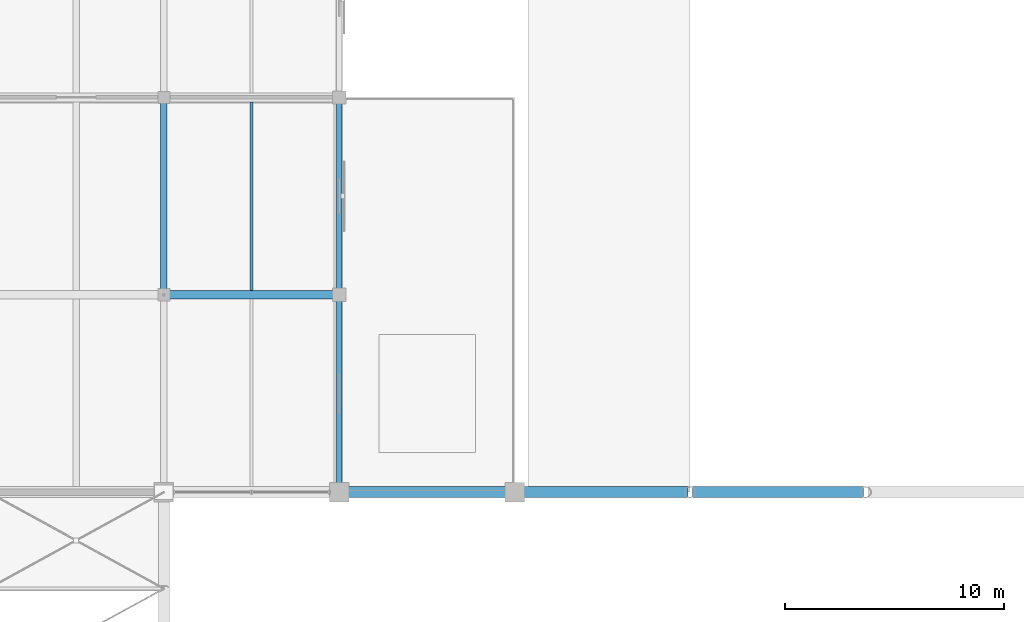
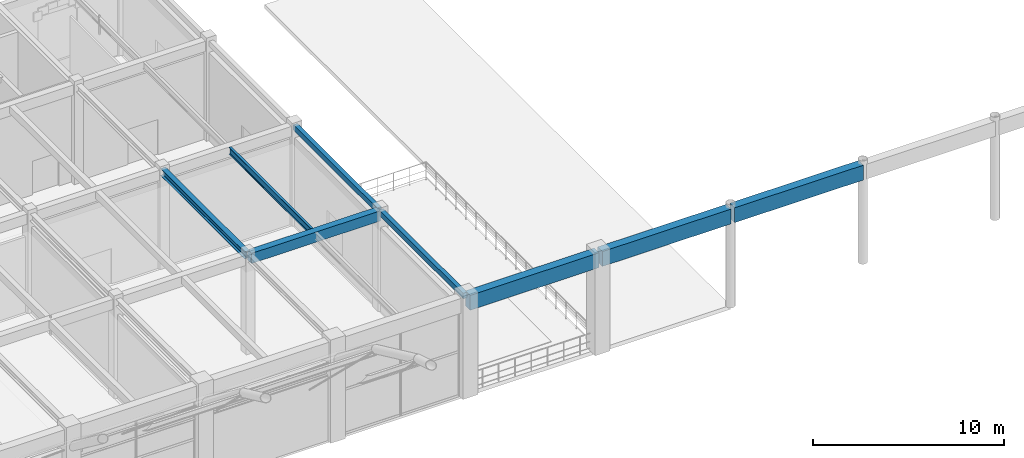
# One storey, part 109 of 163: 8 beams.
"""IFC4 building model written with IfcOpenShell, lengths in metres."""

from ifc_helpers import new_model, si_unit, direction, frame, origin, origin_2d, place, context, subcontext, project, spatial, rectangle, i_section, extrude, material, material_profile, profile_set, type_object, element, save


model = new_model("IFC4")

# Units and contexts
model_context = context("Model", 3, precision=1e-05, world=origin(), true_north=direction((0.0, 1.0)))
body_context = subcontext(model_context, "Body", "Model", "MODEL_VIEW")
ifc_project = project(units=[si_unit("LENGTHUNIT", "METRE"), si_unit("AREAUNIT", "SQUARE_METRE"), si_unit("VOLUMEUNIT", "CUBIC_METRE"), si_unit("PLANEANGLEUNIT", "RADIAN"), si_unit("MASSUNIT", "GRAM", prefix="KILO")], contexts=[model_context])

# Site, building, storey
site_placement = place(None, origin())
site = spatial("IfcSite", under=ifc_project, at=site_placement, CompositionType="ELEMENT")
building_placement = place(site_placement, origin())
building = spatial("IfcBuilding", under=site, at=building_placement, Name="Varnabhumi Central Station", CompositionType="ELEMENT")
storey_placement = place(building_placement, frame((0.0, 0.0, 9.60009765625)))
storey = spatial("IfcBuildingStorey", under=building, at=storey_placement, Name="L02", CompositionType="ELEMENT", Elevation=9.60009765625)

# Beams
ifc_material_1 = material(Name="Structural steel E350", Category="steel")
ifc_material_profile_1 = material_profile(ifc_material_1, i_section(OverallWidth=0.14990234375, OverallDepth=0.449951171875, WebThickness=0.009521484375, FlangeThickness=0.017333984375, FilletRadius=0.014892578125, at=origin_2d()), Name="Structural steel E350", Category="steel")
ifc_profile_set_1 = profile_set([ifc_material_profile_1], Name="Structural steel E350")
beam_type_1 = type_object("IfcBeamType", Name="BM-JST-ISMB450", PredefinedType="JOIST", material=ifc_profile_set_1)
beam_1_placement = place(storey_placement, frame((140.0, 89.199951171875, 6.125), z_axis=(0.0, 1.0, 0.0), x_axis=(-1.0, 0.0, 0.0)))
element("IfcBeam", 1, at=beam_1_placement, inside=storey, type_object=beam_type_1, Name="Secondary Joist L02-18/19:L-M", PredefinedType="JOIST", context=body_context, shape_type="SweptSolid", body=[
    extrude(i_section(OverallWidth=0.14990234375, OverallDepth=0.449951171875, WebThickness=0.009521484375, FlangeThickness=0.017333984375, FilletRadius=0.014892578125, at=origin_2d()), origin(), (0.0, 0.0, 1.0), 8.60009765625),
])
ifc_material_2 = material(Name="Concrete M35", Category="concrete")
ifc_material_profile_2 = material_profile(ifc_material_2, rectangle(XDim=0.25, YDim=0.35009765625, at=origin_2d()), Name="Concrete M35", Category="concrete")
ifc_profile_set_2 = profile_set([ifc_material_profile_2], Name="Concrete M35")
beam_type_2 = type_object("IfcBeamType", Name="BM-RC-250x350", PredefinedType="LINTEL", material=ifc_profile_set_2)
for number, where, z_axis, x_axis, name in (
    (2, (144.0, 80.10009765625, 6.1748046875), (0.0, 1.0, 0.0), (-1.0, 0.0, 0.0), "Beam L02-19:K-L"),
    (3, (144.0, 89.10009765625, 6.1748046875), (0.0, 1.0, 0.0), (-1.0, 0.0, 0.0), "Beam L02-19:L-M"),
):
    element("IfcBeam", number, at=place(storey_placement, frame(where, z_axis=z_axis, x_axis=x_axis)), inside=storey, type_object=beam_type_2, Name=name, PredefinedType="LINTEL", context=body_context, shape_type="SweptSolid", body=[
        extrude(rectangle(XDim=0.25, YDim=0.35009765625, at=origin_2d()), origin(), (0.0, 0.0, 1.0), 8.7998046875),
    ])
ifc_material_3 = material(Name="Concrete M40", Category="concrete")
ifc_material_profile_3 = material_profile(ifc_material_3, rectangle(XDim=0.39990234375, YDim=0.64990234375, at=origin_2d()), Name="Concrete M40", Category="concrete")
ifc_profile_set_3 = profile_set([ifc_material_profile_3], Name="Concrete M40")
beam_type_3 = type_object("IfcBeamType", Name="BM-RC-400x650", PredefinedType="BEAM", material=ifc_profile_set_3)
beam_2_placement = place(storey_placement, frame((136.10009765625, 89.0, 6.02490234375), z_axis=(1.0, 0.0, 0.0), x_axis=(0.0, 1.0, 0.0)))
element("IfcBeam", 4, at=beam_2_placement, inside=storey, type_object=beam_type_3, Name="Beam L02-L:18-19", PredefinedType="BEAM", context=body_context, shape_type="SweptSolid", body=[
    extrude(rectangle(XDim=0.39990234375, YDim=0.64990234375, at=origin_2d()), origin(), (0.0, 0.0, 1.0), 7.7998046875),
])
ifc_material_profile_4 = material_profile(ifc_material_3, rectangle(XDim=0.5, YDim=0.949951171875, at=origin_2d()), Name="Concrete M40", Category="concrete")
ifc_profile_set_4 = profile_set([ifc_material_profile_4], Name="Concrete M40")
beam_type_4 = type_object("IfcBeamType", Name="BM-RC-950x500", PredefinedType="BEAM", material=ifc_profile_set_4)
for number, where, z_axis, x_axis, name in (
    (5, (144.10009765625, 80.0, 5.875), (1.0, 0.0, 0.0), (0.0, 1.0, 0.0), "Beam L02-K:19-20"),
    (6, (152.10009765625, 80.0, 5.875), (1.0, 0.0, 0.0), (0.0, 1.0, 0.0), "Beam L02-K:20-21"),
    (7, (160.10009765625, 80.0, 5.875), (1.0, 0.0, 0.0), (0.0, 1.0, 0.0), "Beam L02-K:21-22"),
):
    element("IfcBeam", number, at=place(storey_placement, frame(where, z_axis=z_axis, x_axis=x_axis)), inside=storey, type_object=beam_type_4, Name=name, PredefinedType="BEAM", context=body_context, shape_type="SweptSolid", body=[
        extrude(rectangle(XDim=0.5, YDim=0.949951171875, at=origin_2d()), origin(), (0.0, 0.0, 1.0), 7.7998046875),
    ])
ifc_material_profile_5 = material_profile(ifc_material_1, i_section(OverallWidth=0.300048828125, OverallDepth=0.449951171875, WebThickness=0.013916015625, FlangeThickness=0.02587890625, FilletRadius=0.027099609375, at=origin_2d()), Name="Structural steel E350", Category="steel")
ifc_profile_set_5 = profile_set([ifc_material_profile_5], Name="Structural steel E350")
beam_type_5 = type_object("IfcBeamType", Name="BM-STL-WPB450", PredefinedType="BEAM", material=ifc_profile_set_5)
beam_3_placement = place(storey_placement, frame((136.0, 89.10009765625, 6.125), z_axis=(0.0, 1.0, 0.0), x_axis=(-1.0, 0.0, 0.0)))
element("IfcBeam", 8, at=beam_3_placement, inside=storey, type_object=beam_type_5, Name="Beam L02-18:L-M", PredefinedType="BEAM", context=body_context, shape_type="SweptSolid", body=[
    extrude(i_section(OverallWidth=0.300048828125, OverallDepth=0.449951171875, WebThickness=0.013916015625, FlangeThickness=0.02587890625, FilletRadius=0.027099609375, at=origin_2d()), origin(), (0.0, 0.0, 1.0), 8.7998046875),
])

save(model, "model.ifc")
